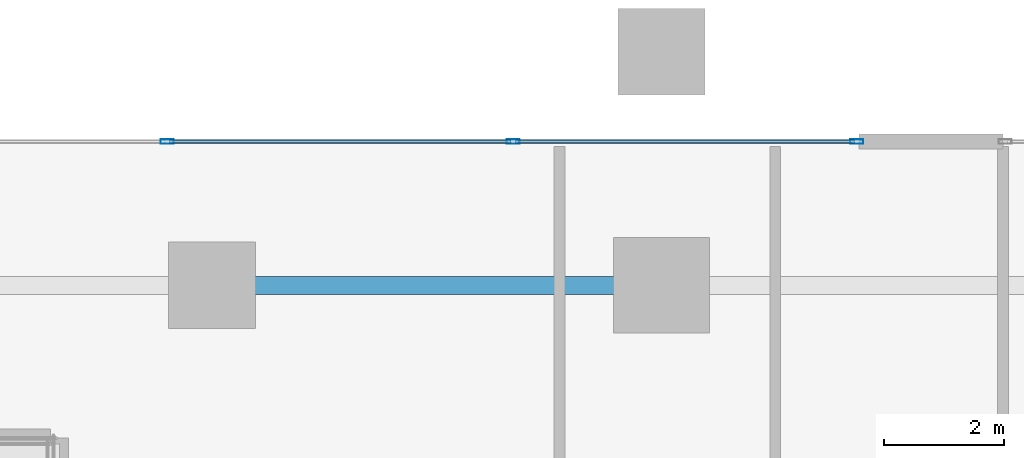
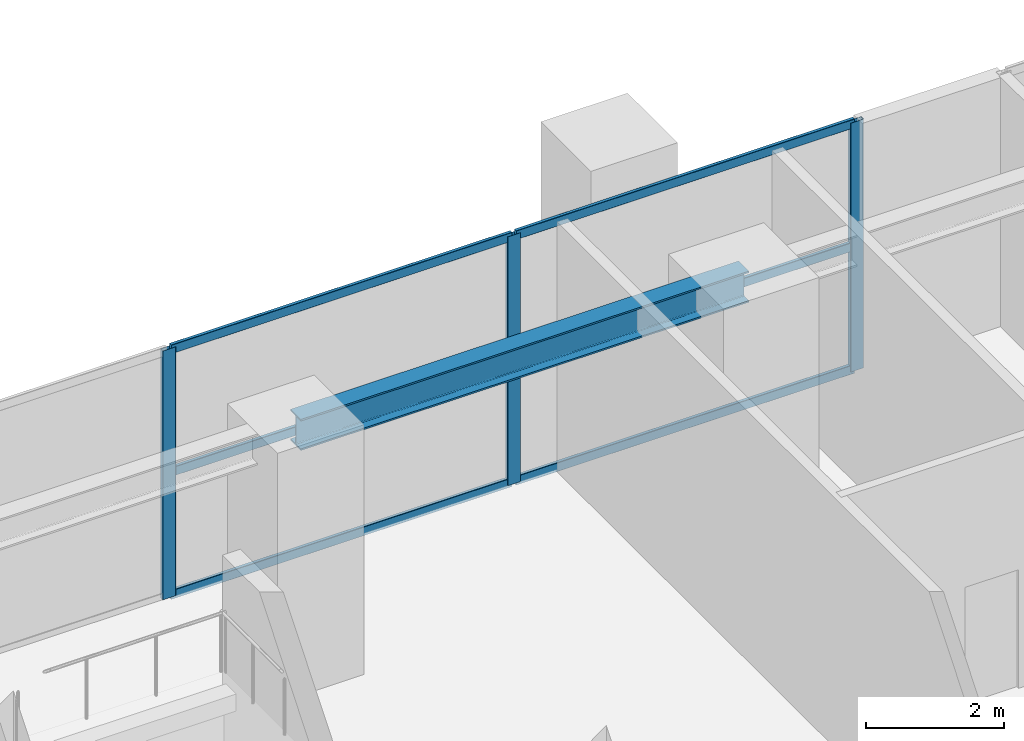
# One storey, part 8 of 20: 9 members, 1 beam, 1 element without a shape of its own.
"""IFC4 building model written with IfcOpenShell, lengths in metres."""

from ifc_helpers import new_model, si_unit, direction, frame, origin, origin_2d, place, context, subcontext, project, spatial, hollow_rectangle, i_section, extrude, source, transform, mapped, material, layer, layer_set, material_profile, profile_set, type_object, element, aggregate, save


model = new_model("IFC4")

# Units and contexts
model_context = context("Model", 3, precision=1e-05, world=origin(), true_north=direction((0.0, 1.0)))
body_context = subcontext(model_context, "Body", "Model", "MODEL_VIEW")
ifc_project = project(units=[si_unit("LENGTHUNIT", "METRE"), si_unit("AREAUNIT", "SQUARE_METRE"), si_unit("VOLUMEUNIT", "CUBIC_METRE"), si_unit("PLANEANGLEUNIT", "RADIAN"), si_unit("MASSUNIT", "GRAM", prefix="KILO")], contexts=[model_context])

# Site, building, storey
site_placement = place(None, origin())
site = spatial("IfcSite", under=ifc_project, at=site_placement, CompositionType="ELEMENT")
building_placement = place(site_placement, origin())
building = spatial("IfcBuilding", under=site, at=building_placement, Name="Serunith Strait Residences", CompositionType="ELEMENT")
storey_placement = place(building_placement, frame((0.0, 0.0, 10.5)))
storey = spatial("IfcBuildingStorey", under=building, at=storey_placement, Name="L02", CompositionType="ELEMENT", Elevation=10.5)

# Beam
ifc_material_1 = material(Name="Steel S355J2", Category="steel")
ifc_material_profile_1 = material_profile(ifc_material_1, i_section(OverallWidth=0.300048828125, OverallDepth=0.550048828125, WebThickness=0.014892578125, FlangeThickness=0.029052734375, FilletRadius=0.027099609375, at=origin_2d()), Name="HEB 550")
ifc_profile_set_1 = profile_set([ifc_material_profile_1], Name="Steel S355J2")
beam_type = type_object("IfcBeamType", Name="BM-HEB550", PredefinedType="BEAM", material=ifc_profile_set_1)
shared_shape_1 = source(origin(), body_context, "Body", "SweptSolid", [
    extrude(i_section(OverallWidth=0.300048828125, OverallDepth=0.550048828125, WebThickness=0.014892578125, FlangeThickness=0.029052734375, FilletRadius=0.027099609375, at=origin_2d()), origin(), (0.0, 0.0, 1.0), 7.5),
])
beam_placement = place(storey_placement, frame((20.39990234375, 45.60009765625, 4.14208984375), z_axis=(1.0, 0.0, 0.0), x_axis=(0.0, 1.0, 0.0)))
element("IfcBeam", 1, at=beam_placement, inside=storey, type_object=beam_type, Name="BM-L02-07", PredefinedType="BEAM", context=body_context, shape_type="MappedRepresentation", body=[
    mapped(shared_shape_1, transform((0.0, 0.0, 0.0), scale=1.0)),
])

# Curtain wall, members
ifc_material_2 = material(Name="Pale-Champagne Anodised Aluminium", Category="aluminium")
ifc_layer = layer(ifc_material_2, 0.199951171875, Name="Pale-Champagne Anodised Aluminium")
ifc_layer_set = layer_set([ifc_layer], Name="Pale-Champagne Anodised Aluminium")
curtain_wall_type = type_object("IfcCurtainWallType", Name="CW-SYS6", PredefinedType="NOTDEFINED", material=ifc_layer_set)
curtain_wall_placement = place(storey_placement, origin())
curtain_wall = element("IfcCurtainWall", 2, at=curtain_wall_placement, inside=storey, type_object=curtain_wall_type, Name="L02 Podium Galleria Curtain Wall 9B", PredefinedType="NOTDEFINED")
ifc_material_profile_2 = material_profile(ifc_material_2, hollow_rectangle(XDim=0.06005859375, YDim=0.159912109375, WallThickness=0.00341796875, InnerFilletRadius=0.00537109375, OuterFilletRadius=0.0087890625, at=origin_2d()), Name="ALU 160x60x3.5")
ifc_profile_set_2 = profile_set([ifc_material_profile_2], Name="Pale-Champagne Anodised Aluminium")
member_type_1 = type_object("IfcMemberType", Name="CW-SYS6-TRAN", PredefinedType="USERDEFINED", material=ifc_profile_set_2)
shared_shape_2 = source(origin(), body_context, "Body", "SweptSolid", [
    extrude(hollow_rectangle(XDim=0.06005859375, YDim=0.159912109375, WallThickness=0.00341796875, InnerFilletRadius=0.00537109375, OuterFilletRadius=0.0087890625, at=origin_2d()), origin(), (0.0, 0.0, 1.0), 5.66259765625),
])
member_1_placement = place(storey_placement, frame((31.125, 48.0, 0.030029296875), z_axis=(-1.0, 0.0, 0.0), x_axis=(0.0, -1.0, 0.0)))
member_1 = element("IfcMember", 3, at=member_1_placement, type_object=member_type_1, Name="CW-6 transom 1.1", ObjectType="TRANSOM", PredefinedType="USERDEFINED", context=body_context, shape_type="MappedRepresentation", body=[
    mapped(shared_shape_2, transform((0.0, 0.0, 0.0), scale=1.0)),
])
member_2_placement = place(storey_placement, frame((31.125, 48.0, 2.202392578125), z_axis=(-1.0, 0.0, 0.0), x_axis=(0.0, -1.0, 0.0)))
member_2 = element("IfcMember", 4, at=member_2_placement, type_object=member_type_1, Name="CW-6 transom 1.2", ObjectType="TRANSOM", PredefinedType="USERDEFINED", context=body_context, shape_type="MappedRepresentation", body=[
    mapped(shared_shape_2, transform((0.0, 0.0, 0.0), scale=1.0)),
])
member_3_placement = place(storey_placement, frame((31.125, 48.0, 4.375), z_axis=(-1.0, 0.0, 0.0), x_axis=(0.0, -1.0, 0.0)))
member_3 = element("IfcMember", 5, at=member_3_placement, type_object=member_type_1, Name="CW-6 transom 1.3", ObjectType="TRANSOM", PredefinedType="USERDEFINED", context=body_context, shape_type="MappedRepresentation", body=[
    mapped(shared_shape_2, transform((0.0, 0.0, 0.0), scale=1.0)),
])
shared_shape_3 = source(origin(), body_context, "Body", "SweptSolid", [
    extrude(hollow_rectangle(XDim=0.06005859375, YDim=0.159912109375, WallThickness=0.00341796875, InnerFilletRadius=0.00537109375, OuterFilletRadius=0.0087890625, at=origin_2d()), origin(), (0.0, 0.0, 1.0), 5.699951171875),
])
member_4_placement = place(storey_placement, frame((25.387451171875, 48.0, 0.030029296875), z_axis=(-1.0, 0.0, 0.0), x_axis=(0.0, -1.0, 0.0)))
member_4 = element("IfcMember", 6, at=member_4_placement, type_object=member_type_1, Name="CW-6 transom 2.1", ObjectType="TRANSOM", PredefinedType="USERDEFINED", context=body_context, shape_type="MappedRepresentation", body=[
    mapped(shared_shape_3, transform((0.0, 0.0, 0.0), scale=1.0)),
])
member_5_placement = place(storey_placement, frame((25.387451171875, 48.0, 2.202392578125), z_axis=(-1.0, 0.0, 0.0), x_axis=(0.0, -1.0, 0.0)))
member_5 = element("IfcMember", 7, at=member_5_placement, type_object=member_type_1, Name="CW-6 transom 2.2", ObjectType="TRANSOM", PredefinedType="USERDEFINED", context=body_context, shape_type="MappedRepresentation", body=[
    mapped(shared_shape_3, transform((0.0, 0.0, 0.0), scale=1.0)),
])
member_6_placement = place(storey_placement, frame((25.387451171875, 48.0, 4.375), z_axis=(-1.0, 0.0, 0.0), x_axis=(0.0, -1.0, 0.0)))
member_6 = element("IfcMember", 8, at=member_6_placement, type_object=member_type_1, Name="CW-6 transom 2.3", ObjectType="TRANSOM", PredefinedType="USERDEFINED", context=body_context, shape_type="MappedRepresentation", body=[
    mapped(shared_shape_3, transform((0.0, 0.0, 0.0), scale=1.0)),
])
ifc_material_profile_3 = material_profile(ifc_material_2, hollow_rectangle(XDim=0.074951171875, YDim=0.219970703125, WallThickness=0.00390625, InnerFilletRadius=0.006103515625, OuterFilletRadius=0.010009765625, at=origin_2d()), Name="ALU 220x75x4")
ifc_profile_set_3 = profile_set([ifc_material_profile_3], Name="Pale-Champagne Anodised Aluminium")
member_type_2 = type_object("IfcMemberType", Name="CW-SYS6-MULL", PredefinedType="MULLION", material=ifc_profile_set_3)
shared_shape_4 = source(origin(), body_context, "Body", "SweptSolid", [
    extrude(hollow_rectangle(XDim=0.074951171875, YDim=0.219970703125, WallThickness=0.00390625, InnerFilletRadius=0.006103515625, OuterFilletRadius=0.010009765625, at=origin_2d()), origin(), (0.0, 0.0, 1.0), 4.405029296875),
])
member_7_placement = place(storey_placement, frame((31.16259765625, 48.0, 0.0), z_axis=(0.0, 0.0, 1.0), x_axis=(0.0, -1.0, 0.0)))
member_7 = element("IfcMember", 9, at=member_7_placement, type_object=member_type_2, Name="CW-6 mullion 1", PredefinedType="MULLION", context=body_context, shape_type="MappedRepresentation", body=[
    mapped(shared_shape_4, transform((0.0, 0.0, 0.0), scale=1.0)),
])
member_8_placement = place(storey_placement, frame((25.425048828125, 48.0, 0.0), z_axis=(0.0, 0.0, 1.0), x_axis=(0.0, -1.0, 0.0)))
member_8 = element("IfcMember", 10, at=member_8_placement, type_object=member_type_2, Name="CW-6 mullion 2", PredefinedType="MULLION", context=body_context, shape_type="MappedRepresentation", body=[
    mapped(shared_shape_4, transform((0.0, 0.0, 0.0), scale=1.0)),
])
member_9_placement = place(storey_placement, frame((19.64990234375, 48.0, 0.0), z_axis=(0.0, 0.0, 1.0), x_axis=(0.0, -1.0, 0.0)))
member_9 = element("IfcMember", 11, at=member_9_placement, type_object=member_type_2, Name="CW-6 mullion 3", PredefinedType="MULLION", context=body_context, shape_type="MappedRepresentation", body=[
    mapped(shared_shape_4, transform((0.0, 0.0, 0.0), scale=1.0)),
])
aggregate(curtain_wall, [member_7, member_8, member_9, member_1, member_2, member_3, member_4, member_5, member_6])

save(model, "model.ifc")
